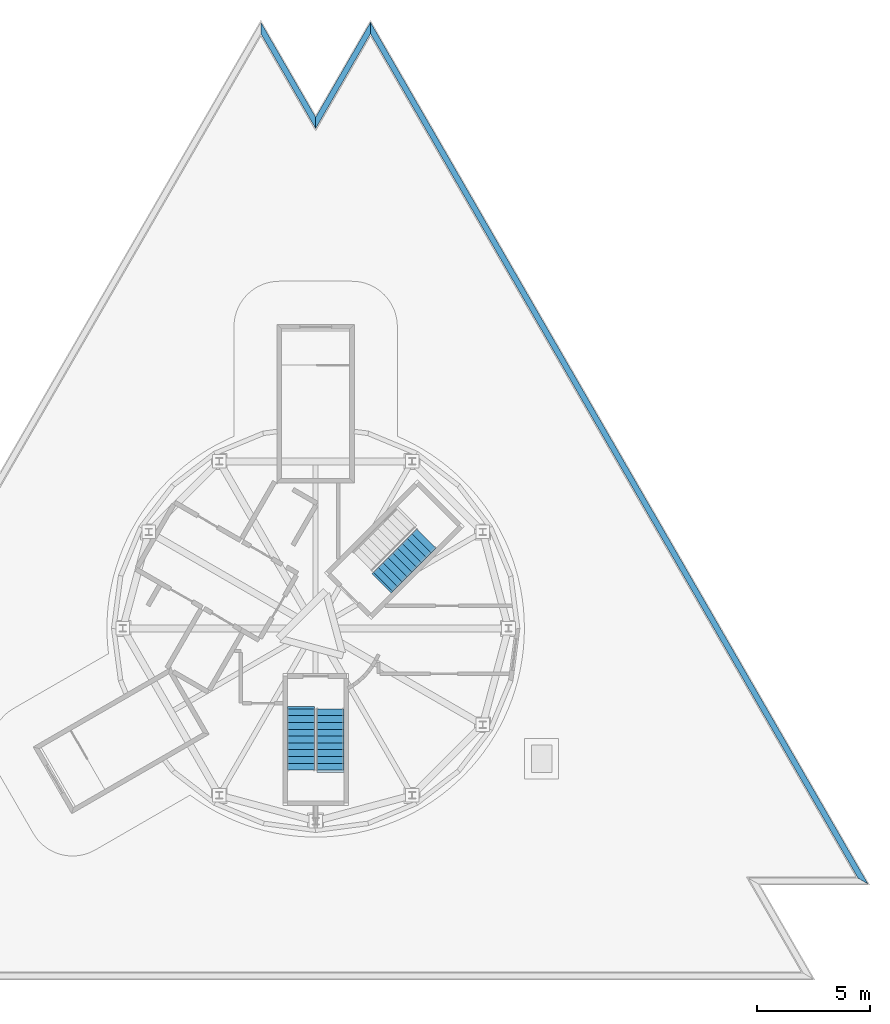
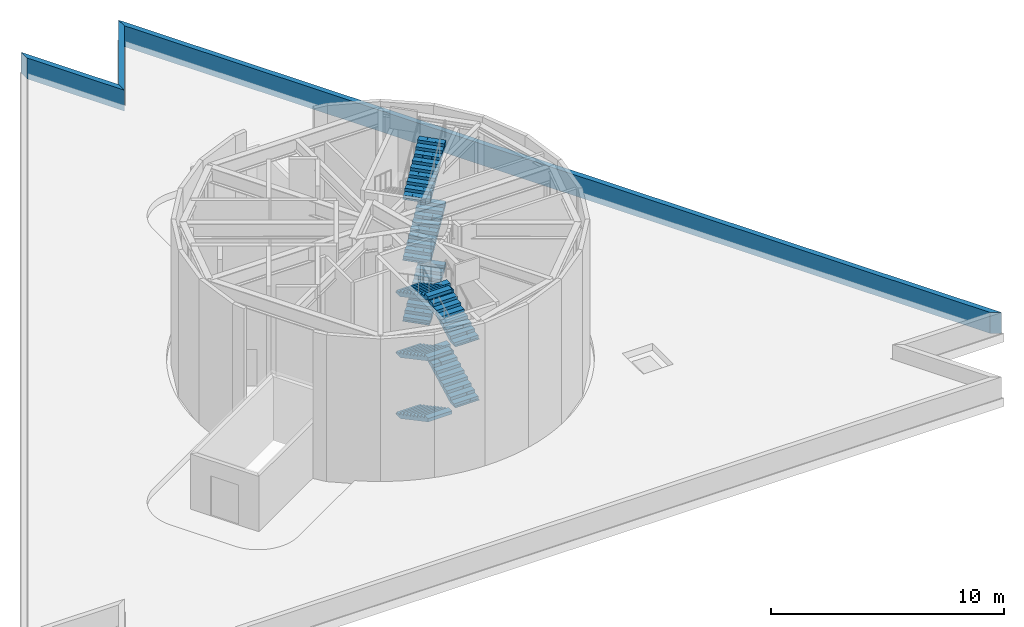
# One storey, part 4 of 7: 8 stair flights, 3 walls, 2 elements without a shape of their own.
"""IFC4 building model written with IfcOpenShell, lengths in metres."""

from ifc_helpers import new_model, si_unit, direction, frame, origin, place, context, subcontext, project, spatial, polyline, outline, extrude, material, layer, layer_set, layer_usage, type_object, element, aggregate, save


model = new_model("IFC4")

# Units and contexts
model_context = context("Model", 3, precision=1e-05, world=origin(), true_north=direction((0.0, 1.0)))
body_context = subcontext(model_context, "Body", "Model", "MODEL_VIEW")
ifc_project = project(units=[si_unit("LENGTHUNIT", "METRE"), si_unit("AREAUNIT", "SQUARE_METRE"), si_unit("VOLUMEUNIT", "CUBIC_METRE"), si_unit("PLANEANGLEUNIT", "RADIAN"), si_unit("MASSUNIT", "GRAM", prefix="KILO")], contexts=[model_context])

# Site, building, storey
site_placement = place(None, origin())
site = spatial("IfcSite", under=ifc_project, at=site_placement, CompositionType="ELEMENT")
building_placement = place(site_placement, origin())
building = spatial("IfcBuilding", under=site, at=building_placement, Name="Triada Interchange Tower", CompositionType="ELEMENT")
storey_placement = place(building_placement, frame((0.0, 0.0, 327.800048828125)))
storey = spatial("IfcBuildingStorey", under=building, at=storey_placement, Name="Roof", CompositionType="ELEMENT", Elevation=327.800048828125)

# Walls
ifc_material_1 = material(Name="Mineral wool")
ifc_layer_1 = layer(ifc_material_1, 0.050048828125, Name="Mineral wool insulation")
ifc_material_2 = material(Name="Concrete C40/50", Category="concrete")
ifc_layer_2 = layer(ifc_material_2, 0.199951171875, Name="Reinforced concrete parapet")
ifc_layer_set = layer_set([ifc_layer_1, ifc_layer_2], Name="Roof parapet 250")
ifc_layer_usage = layer_usage(ifc_layer_set, "AXIS2", "POSITIVE", -0.125)
wall_type = type_object("IfcWallType", Name="Roof parapet 250", PredefinedType="PARAPET", material=ifc_layer_set)
wall_1_placement = place(storey_placement, frame((24.1279296875, -11.139892578125, 0.0), z_axis=(0.0, 0.0, 1.0), x_axis=(-0.500011545715, 0.86601873776, 0.0)))
element("IfcWall", 1, at=wall_1_placement, inside=storey, type_object=wall_type, material=ifc_layer_usage, Name="Roof parapet 07", PredefinedType="PARAPET", context=body_context, shape_type="SweptSolid", body=[
    extrude(outline(polyline([(-0.21630859375, -0.12451171875), (1.777099609375, -0.12451171875), (3.7705078125, -0.12451171875), (5.763916015625, -0.12451171875), (7.757568359375, -0.12451171875), (9.7509765625, -0.12451171875), (11.744384765625, -0.124755859375), (13.73779296875, -0.124755859375), (15.731201171875, -0.124755859375), (17.724609375, -0.124755859375), (19.718017578125, -0.124755859375), (21.71142578125, -0.124755859375), (23.705078125, -0.124755859375), (25.698486328125, -0.124755859375), (27.69189453125, -0.124755859375), (29.685302734375, -0.124755859375), (31.6787109375, -0.124755859375), (33.672119140625, -0.125), (35.66552734375, -0.125), (37.6591796875, -0.125), (39.652587890625, -0.125), (41.64599609375, -0.125), (43.639404296875, -0.125), (43.206298828125, 0.125), (41.252197265625, 0.125), (39.298095703125, 0.125), (37.343994140625, 0.125), (35.39013671875, 0.125), (33.43603515625, 0.125), (31.48193359375, 0.125244140625), (29.52783203125, 0.125244140625), (27.57373046875, 0.125244140625), (25.61962890625, 0.125244140625), (23.66552734375, 0.125244140625), (21.71142578125, 0.125244140625), (19.757568359375, 0.125244140625), (17.803466796875, 0.125244140625), (15.849365234375, 0.125244140625), (13.895263671875, 0.125244140625), (11.941162109375, 0.125244140625), (9.987060546875, 0.12548828125), (8.032958984375, 0.12548828125), (6.0791015625, 0.12548828125), (4.125, 0.12548828125), (2.1708984375, 0.12548828125), (0.216796875, 0.12548828125), (-0.21630859375, -0.12451171875)])), origin(), (0.0, 0.0, 1.0), 1.099853515625),
])
wall_2_placement = place(storey_placement, frame((2.416015625, 26.465087890625, 0.0), z_axis=(0.0, 0.0, 1.0), x_axis=(-0.499964445527, -0.866045930196, 0.0)))
element("IfcWall", 2, at=wall_2_placement, inside=storey, type_object=wall_type, material=ifc_layer_usage, Name="Roof parapet 08", PredefinedType="PARAPET", context=body_context, shape_type="SweptSolid", body=[
    extrude(outline(polyline([(-0.216552734375, -0.125), (1.394287109375, -0.125), (3.0048828125, -0.125), (4.61572265625, -0.125), (5.048828125, 0.125), (3.43798828125, 0.125), (1.827392578125, 0.125), (0.216552734375, 0.125), (-0.216552734375, -0.125)])), origin(), (0.0, 0.0, 1.0), 1.099853515625),
])
wall_3_placement = place(storey_placement, frame((0.0, 22.280029296875, 0.0), z_axis=(0.0, 0.0, 1.0), x_axis=(-0.499964445527, 0.866045930196, 0.0)))
element("IfcWall", 3, at=wall_3_placement, inside=storey, type_object=wall_type, material=ifc_layer_usage, Name="Roof parapet 09", PredefinedType="PARAPET", context=body_context, shape_type="SweptSolid", body=[
    extrude(outline(polyline([(0.216552734375, -0.125), (1.827392578125, -0.125), (3.43798828125, -0.125), (5.048828125, -0.125), (4.61572265625, 0.125), (3.0048828125, 0.125), (1.394287109375, 0.125), (-0.216552734375, 0.125), (0.216552734375, -0.125)])), origin(), (0.0, 0.0, 1.0), 1.099853515625),
])

# Stair, stair flights
ifc_material_3 = material(Name="Concrete C35/45", Category="concrete")
stair_type = type_object("IfcStairType", Name="HALF TURN STAIR 1200", PredefinedType="HALF_TURN_STAIR", material=ifc_material_3)
stair_1_placement = place(storey_placement, origin())
stair_1 = element("IfcStair", 4, at=stair_1_placement, inside=storey, type_object=stair_type, Name="Roof access stair RS1", PredefinedType="HALF_TURN_STAIR")
stair_flight_type = type_object("IfcStairFlightType", Name="STRAIGHT STAIR FLIGHT 1200", PredefinedType="STRAIGHT", material=ifc_material_3)
stair_flight_1_placement = place(storey_placement, frame((2.969970703125, 2.051025390625, 0.0), z_axis=(0.0, 0.0, 1.0), x_axis=(0.707106781187, 0.707106781187, 0.0)))
stair_flight_1 = element("IfcStairFlight", 5, at=stair_flight_1_placement, type_object=stair_flight_type, Name="Roof access stair RS1 flight 1", NumberOfRisers=10, NumberOfTreads=9, PredefinedType="STRAIGHT", RiserHeight=0.16, TreadLength=0.3, context=body_context, shape_type="SweptSolid", body=[
    extrude(outline(polyline([(-0.10009765625, 0.0), (-0.10009765625, 0.02001953125), (0.0, 0.02001953125), (0.0, 0.159912109375), (0.300048828125, 0.159912109375), (0.300048828125, 0.320068359375), (0.60009765625, 0.320068359375), (0.60009765625, 0.47998046875), (0.89990234375, 0.47998046875), (0.89990234375, 0.639892578125), (1.199951171875, 0.639892578125), (1.199951171875, 0.800048828125), (1.5, 0.800048828125), (1.5, 0.9599609375), (1.800048828125, 0.9599609375), (1.800048828125, 1.1201171875), (2.10009765625, 1.1201171875), (2.10009765625, 1.280029296875), (2.39990234375, 1.280029296875), (2.39990234375, 1.43994140625), (2.699951171875, 1.43994140625), (2.7041015625, 1.43994140625), (2.7041015625, 1.60009765625), (2.7041015625, 1.27001953125), (0.318603515625, 0.0), (-0.10009765625, 0.0)])), frame((0.0, 0.60009765625, 0.0), z_axis=(0.0, -1.0, 0.0), x_axis=(1.0, 0.0, 0.0)), (0.0, 0.0, 1.0), 0.398681640625),
    extrude(outline(polyline([(-0.10009765625, 0.0), (-0.10009765625, 0.02001953125), (0.0, 0.02001953125), (0.0, 0.159912109375), (0.300048828125, 0.159912109375), (0.300048828125, 0.320068359375), (0.60009765625, 0.320068359375), (0.60009765625, 0.47998046875), (0.89990234375, 0.47998046875), (0.89990234375, 0.639892578125), (1.199951171875, 0.639892578125), (1.199951171875, 0.800048828125), (1.5, 0.800048828125), (1.5, 0.9599609375), (1.800048828125, 0.9599609375), (1.800048828125, 1.1201171875), (2.10009765625, 1.1201171875), (2.10009765625, 1.280029296875), (2.39990234375, 1.280029296875), (2.39990234375, 1.43994140625), (2.699951171875, 1.43994140625), (2.7041015625, 1.43994140625), (2.7041015625, 1.60009765625), (2.7041015625, 1.27001953125), (0.318603515625, 0.0), (-0.10009765625, 0.0)])), frame((0.0, 0.19921875, 0.0), z_axis=(0.0, -1.0, 0.0), x_axis=(1.0, 0.0, 0.0)), (0.0, 0.0, 1.0), 0.398681640625),
    extrude(outline(polyline([(-0.10009765625, 0.0), (-0.10009765625, 0.02001953125), (0.0, 0.02001953125), (0.0, 0.159912109375), (0.300048828125, 0.159912109375), (0.300048828125, 0.320068359375), (0.60009765625, 0.320068359375), (0.60009765625, 0.47998046875), (0.89990234375, 0.47998046875), (0.89990234375, 0.639892578125), (1.199951171875, 0.639892578125), (1.199951171875, 0.800048828125), (1.5, 0.800048828125), (1.5, 0.9599609375), (1.800048828125, 0.9599609375), (1.800048828125, 1.1201171875), (2.10009765625, 1.1201171875), (2.10009765625, 1.280029296875), (2.39990234375, 1.280029296875), (2.39990234375, 1.43994140625), (2.699951171875, 1.43994140625), (2.7041015625, 1.43994140625), (2.7041015625, 1.60009765625), (2.7041015625, 1.27001953125), (0.318603515625, 0.0), (-0.10009765625, 0.0)])), frame((0.0, -0.201416015625, 0.0), z_axis=(0.0, -1.0, 0.0), x_axis=(1.0, 0.0, 0.0)), (0.0, 0.0, 1.0), 0.398681640625),
])
stair_flight_2_placement = place(storey_placement, frame((2.969970703125, 2.051025390625, 3.199951171875), z_axis=(0.0, 0.0, 1.0), x_axis=(0.707106781187, 0.707106781187, 0.0)))
stair_flight_2 = element("IfcStairFlight", 6, at=stair_flight_2_placement, type_object=stair_flight_type, Name="Roof access stair RS1 flight 3", NumberOfRisers=10, NumberOfTreads=9, PredefinedType="STRAIGHT", RiserHeight=0.16, TreadLength=0.3, context=body_context, shape_type="SweptSolid", body=[
    extrude(outline(polyline([(-0.10009765625, 0.0), (-0.10009765625, 0.02001953125), (0.0, 0.02001953125), (0.0, 0.159912109375), (0.300048828125, 0.159912109375), (0.300048828125, 0.320068359375), (0.60009765625, 0.320068359375), (0.60009765625, 0.47998046875), (0.89990234375, 0.47998046875), (0.89990234375, 0.639892578125), (1.199951171875, 0.639892578125), (1.199951171875, 0.800048828125), (1.5, 0.800048828125), (1.5, 0.9599609375), (1.800048828125, 0.9599609375), (1.800048828125, 1.1201171875), (2.10009765625, 1.1201171875), (2.10009765625, 1.280029296875), (2.39990234375, 1.280029296875), (2.39990234375, 1.43994140625), (2.699951171875, 1.43994140625), (2.7041015625, 1.43994140625), (2.7041015625, 1.60009765625), (2.7041015625, 1.27001953125), (0.318603515625, 0.0), (-0.10009765625, 0.0)])), frame((0.0, 0.60009765625, 0.0), z_axis=(0.0, -1.0, 0.0), x_axis=(1.0, 0.0, 0.0)), (0.0, 0.0, 1.0), 0.398681640625),
    extrude(outline(polyline([(-0.10009765625, 0.0), (-0.10009765625, 0.02001953125), (0.0, 0.02001953125), (0.0, 0.159912109375), (0.300048828125, 0.159912109375), (0.300048828125, 0.320068359375), (0.60009765625, 0.320068359375), (0.60009765625, 0.47998046875), (0.89990234375, 0.47998046875), (0.89990234375, 0.639892578125), (1.199951171875, 0.639892578125), (1.199951171875, 0.800048828125), (1.5, 0.800048828125), (1.5, 0.9599609375), (1.800048828125, 0.9599609375), (1.800048828125, 1.1201171875), (2.10009765625, 1.1201171875), (2.10009765625, 1.280029296875), (2.39990234375, 1.280029296875), (2.39990234375, 1.43994140625), (2.699951171875, 1.43994140625), (2.7041015625, 1.43994140625), (2.7041015625, 1.60009765625), (2.7041015625, 1.27001953125), (0.318603515625, 0.0), (-0.10009765625, 0.0)])), frame((0.0, 0.19921875, 0.0), z_axis=(0.0, -1.0, 0.0), x_axis=(1.0, 0.0, 0.0)), (0.0, 0.0, 1.0), 0.398681640625),
    extrude(outline(polyline([(-0.10009765625, 0.0), (-0.10009765625, 0.02001953125), (0.0, 0.02001953125), (0.0, 0.159912109375), (0.300048828125, 0.159912109375), (0.300048828125, 0.320068359375), (0.60009765625, 0.320068359375), (0.60009765625, 0.47998046875), (0.89990234375, 0.47998046875), (0.89990234375, 0.639892578125), (1.199951171875, 0.639892578125), (1.199951171875, 0.800048828125), (1.5, 0.800048828125), (1.5, 0.9599609375), (1.800048828125, 0.9599609375), (1.800048828125, 1.1201171875), (2.10009765625, 1.1201171875), (2.10009765625, 1.280029296875), (2.39990234375, 1.280029296875), (2.39990234375, 1.43994140625), (2.699951171875, 1.43994140625), (2.7041015625, 1.43994140625), (2.7041015625, 1.60009765625), (2.7041015625, 1.27001953125), (0.318603515625, 0.0), (-0.10009765625, 0.0)])), frame((0.0, -0.201416015625, 0.0), z_axis=(0.0, -1.0, 0.0), x_axis=(1.0, 0.0, 0.0)), (0.0, 0.0, 1.0), 0.398681640625),
])
stair_flight_3_placement = place(storey_placement, frame((2.969970703125, 2.051025390625, 6.39990234375), z_axis=(0.0, 0.0, 1.0), x_axis=(0.707106781187, 0.707106781187, 0.0)))
stair_flight_3 = element("IfcStairFlight", 7, at=stair_flight_3_placement, type_object=stair_flight_type, Name="Roof access stair RS1 flight 5", NumberOfRisers=10, NumberOfTreads=9, PredefinedType="STRAIGHT", RiserHeight=0.16, TreadLength=0.3, context=body_context, shape_type="SweptSolid", body=[
    extrude(outline(polyline([(-0.10009765625, 0.0), (-0.10009765625, 0.02001953125), (0.0, 0.02001953125), (0.0, 0.159912109375), (0.300048828125, 0.159912109375), (0.300048828125, 0.320068359375), (0.60009765625, 0.320068359375), (0.60009765625, 0.47998046875), (0.89990234375, 0.47998046875), (0.89990234375, 0.639892578125), (1.199951171875, 0.639892578125), (1.199951171875, 0.800048828125), (1.5, 0.800048828125), (1.5, 0.9599609375), (1.800048828125, 0.9599609375), (1.800048828125, 1.1201171875), (2.10009765625, 1.1201171875), (2.10009765625, 1.280029296875), (2.39990234375, 1.280029296875), (2.39990234375, 1.43994140625), (2.699951171875, 1.43994140625), (2.7041015625, 1.43994140625), (2.7041015625, 1.60009765625), (2.7041015625, 1.27001953125), (0.318603515625, 0.0), (-0.10009765625, 0.0)])), frame((0.0, 0.60009765625, 0.0), z_axis=(0.0, -1.0, 0.0), x_axis=(1.0, 0.0, 0.0)), (0.0, 0.0, 1.0), 0.398681640625),
    extrude(outline(polyline([(-0.10009765625, 0.0), (-0.10009765625, 0.02001953125), (0.0, 0.02001953125), (0.0, 0.159912109375), (0.300048828125, 0.159912109375), (0.300048828125, 0.320068359375), (0.60009765625, 0.320068359375), (0.60009765625, 0.47998046875), (0.89990234375, 0.47998046875), (0.89990234375, 0.639892578125), (1.199951171875, 0.639892578125), (1.199951171875, 0.800048828125), (1.5, 0.800048828125), (1.5, 0.9599609375), (1.800048828125, 0.9599609375), (1.800048828125, 1.1201171875), (2.10009765625, 1.1201171875), (2.10009765625, 1.280029296875), (2.39990234375, 1.280029296875), (2.39990234375, 1.43994140625), (2.699951171875, 1.43994140625), (2.7041015625, 1.43994140625), (2.7041015625, 1.60009765625), (2.7041015625, 1.27001953125), (0.318603515625, 0.0), (-0.10009765625, 0.0)])), frame((0.0, 0.19921875, 0.0), z_axis=(0.0, -1.0, 0.0), x_axis=(1.0, 0.0, 0.0)), (0.0, 0.0, 1.0), 0.398681640625),
    extrude(outline(polyline([(-0.10009765625, 0.0), (-0.10009765625, 0.02001953125), (0.0, 0.02001953125), (0.0, 0.159912109375), (0.300048828125, 0.159912109375), (0.300048828125, 0.320068359375), (0.60009765625, 0.320068359375), (0.60009765625, 0.47998046875), (0.89990234375, 0.47998046875), (0.89990234375, 0.639892578125), (1.199951171875, 0.639892578125), (1.199951171875, 0.800048828125), (1.5, 0.800048828125), (1.5, 0.9599609375), (1.800048828125, 0.9599609375), (1.800048828125, 1.1201171875), (2.10009765625, 1.1201171875), (2.10009765625, 1.280029296875), (2.39990234375, 1.280029296875), (2.39990234375, 1.43994140625), (2.699951171875, 1.43994140625), (2.7041015625, 1.43994140625), (2.7041015625, 1.60009765625), (2.7041015625, 1.27001953125), (0.318603515625, 0.0), (-0.10009765625, 0.0)])), frame((0.0, -0.201416015625, 0.0), z_axis=(0.0, -1.0, 0.0), x_axis=(1.0, 0.0, 0.0)), (0.0, 0.0, 1.0), 0.398681640625),
])
aggregate(stair_1, [stair_flight_1, stair_flight_2, stair_flight_3])

stair_2_placement = place(storey_placement, origin())
stair_2 = element("IfcStair", 8, at=stair_2_placement, inside=storey, type_object=stair_type, Name="Roof access stair RS2", PredefinedType="HALF_TURN_STAIR")
stair_flight_4_placement = place(storey_placement, frame((-0.64990234375, -3.550048828125, 0.0), z_axis=(0.0, 0.0, 1.0), x_axis=(0.0, -1.0, 0.0)))
stair_flight_4 = element("IfcStairFlight", 9, at=stair_flight_4_placement, type_object=stair_flight_type, Name="Roof access stair RS2 flight 1", NumberOfRisers=10, NumberOfTreads=9, PredefinedType="STRAIGHT", RiserHeight=0.16, TreadLength=0.3, context=body_context, shape_type="SweptSolid", body=[
    extrude(outline(polyline([(-0.10009765625, 0.0), (-0.10009765625, 0.02001953125), (0.0, 0.02001953125), (0.0, 0.159912109375), (0.300048828125, 0.159912109375), (0.300048828125, 0.320068359375), (0.60009765625, 0.320068359375), (0.60009765625, 0.47998046875), (0.89990234375, 0.47998046875), (0.89990234375, 0.639892578125), (1.199951171875, 0.639892578125), (1.199951171875, 0.800048828125), (1.5, 0.800048828125), (1.5, 0.9599609375), (1.800048828125, 0.9599609375), (1.800048828125, 1.1201171875), (2.10009765625, 1.1201171875), (2.10009765625, 1.280029296875), (2.39990234375, 1.280029296875), (2.39990234375, 1.43994140625), (2.699951171875, 1.43994140625), (2.7041015625, 1.43994140625), (2.7041015625, 1.60009765625), (2.7041015625, 1.27001953125), (0.318603515625, 0.0), (-0.10009765625, 0.0)])), frame((0.0, 0.60009765625, 0.0), z_axis=(0.0, -1.0, 0.0), x_axis=(1.0, 0.0, 0.0)), (0.0, 0.0, 1.0), 0.398681640625),
    extrude(outline(polyline([(-0.10009765625, 0.0), (-0.10009765625, 0.02001953125), (0.0, 0.02001953125), (0.0, 0.159912109375), (0.300048828125, 0.159912109375), (0.300048828125, 0.320068359375), (0.60009765625, 0.320068359375), (0.60009765625, 0.47998046875), (0.89990234375, 0.47998046875), (0.89990234375, 0.639892578125), (1.199951171875, 0.639892578125), (1.199951171875, 0.800048828125), (1.5, 0.800048828125), (1.5, 0.9599609375), (1.800048828125, 0.9599609375), (1.800048828125, 1.1201171875), (2.10009765625, 1.1201171875), (2.10009765625, 1.280029296875), (2.39990234375, 1.280029296875), (2.39990234375, 1.43994140625), (2.699951171875, 1.43994140625), (2.7041015625, 1.43994140625), (2.7041015625, 1.60009765625), (2.7041015625, 1.27001953125), (0.318603515625, 0.0), (-0.10009765625, 0.0)])), frame((0.0, 0.19921875, 0.0), z_axis=(0.0, -1.0, 0.0), x_axis=(1.0, 0.0, 0.0)), (0.0, 0.0, 1.0), 0.398681640625),
    extrude(outline(polyline([(-0.10009765625, 0.0), (-0.10009765625, 0.02001953125), (0.0, 0.02001953125), (0.0, 0.159912109375), (0.300048828125, 0.159912109375), (0.300048828125, 0.320068359375), (0.60009765625, 0.320068359375), (0.60009765625, 0.47998046875), (0.89990234375, 0.47998046875), (0.89990234375, 0.639892578125), (1.199951171875, 0.639892578125), (1.199951171875, 0.800048828125), (1.5, 0.800048828125), (1.5, 0.9599609375), (1.800048828125, 0.9599609375), (1.800048828125, 1.1201171875), (2.10009765625, 1.1201171875), (2.10009765625, 1.280029296875), (2.39990234375, 1.280029296875), (2.39990234375, 1.43994140625), (2.699951171875, 1.43994140625), (2.7041015625, 1.43994140625), (2.7041015625, 1.60009765625), (2.7041015625, 1.27001953125), (0.318603515625, 0.0), (-0.10009765625, 0.0)])), frame((0.0, -0.201416015625, 0.0), z_axis=(0.0, -1.0, 0.0), x_axis=(1.0, 0.0, 0.0)), (0.0, 0.0, 1.0), 0.398681640625),
])
stair_flight_5_placement = place(storey_placement, frame((0.64990234375, -6.25, 1.599853515625), z_axis=(0.0, 0.0, 1.0), x_axis=(0.0, 1.0, 0.0)))
stair_flight_5 = element("IfcStairFlight", 10, at=stair_flight_5_placement, type_object=stair_flight_type, Name="Roof access stair RS2 flight 2", NumberOfRisers=10, NumberOfTreads=9, PredefinedType="STRAIGHT", RiserHeight=0.16, TreadLength=0.3, context=body_context, shape_type="SweptSolid", body=[
    extrude(outline(polyline([(-0.10009765625, 0.0), (-0.10009765625, 0.02001953125), (0.0, 0.02001953125), (0.0, 0.159912109375), (0.300048828125, 0.159912109375), (0.300048828125, 0.320068359375), (0.60009765625, 0.320068359375), (0.60009765625, 0.47998046875), (0.89990234375, 0.47998046875), (0.89990234375, 0.639892578125), (1.199951171875, 0.639892578125), (1.199951171875, 0.800048828125), (1.5, 0.800048828125), (1.5, 0.9599609375), (1.800048828125, 0.9599609375), (1.800048828125, 1.1201171875), (2.10009765625, 1.1201171875), (2.10009765625, 1.280029296875), (2.39990234375, 1.280029296875), (2.39990234375, 1.43994140625), (2.699951171875, 1.43994140625), (2.7041015625, 1.43994140625), (2.7041015625, 1.60009765625), (2.7041015625, 1.27001953125), (0.318603515625, 0.0), (-0.10009765625, 0.0)])), frame((0.0, 0.60009765625, 0.0), z_axis=(0.0, -1.0, 0.0), x_axis=(1.0, 0.0, 0.0)), (0.0, 0.0, 1.0), 0.398681640625),
    extrude(outline(polyline([(-0.10009765625, 0.0), (-0.10009765625, 0.02001953125), (0.0, 0.02001953125), (0.0, 0.159912109375), (0.300048828125, 0.159912109375), (0.300048828125, 0.320068359375), (0.60009765625, 0.320068359375), (0.60009765625, 0.47998046875), (0.89990234375, 0.47998046875), (0.89990234375, 0.639892578125), (1.199951171875, 0.639892578125), (1.199951171875, 0.800048828125), (1.5, 0.800048828125), (1.5, 0.9599609375), (1.800048828125, 0.9599609375), (1.800048828125, 1.1201171875), (2.10009765625, 1.1201171875), (2.10009765625, 1.280029296875), (2.39990234375, 1.280029296875), (2.39990234375, 1.43994140625), (2.699951171875, 1.43994140625), (2.7041015625, 1.43994140625), (2.7041015625, 1.60009765625), (2.7041015625, 1.27001953125), (0.318603515625, 0.0), (-0.10009765625, 0.0)])), frame((0.0, 0.19921875, 0.0), z_axis=(0.0, -1.0, 0.0), x_axis=(1.0, 0.0, 0.0)), (0.0, 0.0, 1.0), 0.398681640625),
    extrude(outline(polyline([(-0.10009765625, 0.0), (-0.10009765625, 0.02001953125), (0.0, 0.02001953125), (0.0, 0.159912109375), (0.300048828125, 0.159912109375), (0.300048828125, 0.320068359375), (0.60009765625, 0.320068359375), (0.60009765625, 0.47998046875), (0.89990234375, 0.47998046875), (0.89990234375, 0.639892578125), (1.199951171875, 0.639892578125), (1.199951171875, 0.800048828125), (1.5, 0.800048828125), (1.5, 0.9599609375), (1.800048828125, 0.9599609375), (1.800048828125, 1.1201171875), (2.10009765625, 1.1201171875), (2.10009765625, 1.280029296875), (2.39990234375, 1.280029296875), (2.39990234375, 1.43994140625), (2.699951171875, 1.43994140625), (2.7041015625, 1.43994140625), (2.7041015625, 1.60009765625), (2.7041015625, 1.27001953125), (0.318603515625, 0.0), (-0.10009765625, 0.0)])), frame((0.0, -0.201416015625, 0.0), z_axis=(0.0, -1.0, 0.0), x_axis=(1.0, 0.0, 0.0)), (0.0, 0.0, 1.0), 0.398681640625),
])
stair_flight_6_placement = place(storey_placement, frame((-0.64990234375, -3.550048828125, 3.199951171875), z_axis=(0.0, 0.0, 1.0), x_axis=(0.0, -1.0, 0.0)))
stair_flight_6 = element("IfcStairFlight", 11, at=stair_flight_6_placement, type_object=stair_flight_type, Name="Roof access stair RS2 flight 3", NumberOfRisers=10, NumberOfTreads=9, PredefinedType="STRAIGHT", RiserHeight=0.16, TreadLength=0.3, context=body_context, shape_type="SweptSolid", body=[
    extrude(outline(polyline([(-0.10009765625, 0.0), (-0.10009765625, 0.02001953125), (0.0, 0.02001953125), (0.0, 0.159912109375), (0.300048828125, 0.159912109375), (0.300048828125, 0.320068359375), (0.60009765625, 0.320068359375), (0.60009765625, 0.47998046875), (0.89990234375, 0.47998046875), (0.89990234375, 0.639892578125), (1.199951171875, 0.639892578125), (1.199951171875, 0.800048828125), (1.5, 0.800048828125), (1.5, 0.9599609375), (1.800048828125, 0.9599609375), (1.800048828125, 1.1201171875), (2.10009765625, 1.1201171875), (2.10009765625, 1.280029296875), (2.39990234375, 1.280029296875), (2.39990234375, 1.43994140625), (2.699951171875, 1.43994140625), (2.7041015625, 1.43994140625), (2.7041015625, 1.60009765625), (2.7041015625, 1.27001953125), (0.318603515625, 0.0), (-0.10009765625, 0.0)])), frame((0.0, 0.60009765625, 0.0), z_axis=(0.0, -1.0, 0.0), x_axis=(1.0, 0.0, 0.0)), (0.0, 0.0, 1.0), 0.398681640625),
    extrude(outline(polyline([(-0.10009765625, 0.0), (-0.10009765625, 0.02001953125), (0.0, 0.02001953125), (0.0, 0.159912109375), (0.300048828125, 0.159912109375), (0.300048828125, 0.320068359375), (0.60009765625, 0.320068359375), (0.60009765625, 0.47998046875), (0.89990234375, 0.47998046875), (0.89990234375, 0.639892578125), (1.199951171875, 0.639892578125), (1.199951171875, 0.800048828125), (1.5, 0.800048828125), (1.5, 0.9599609375), (1.800048828125, 0.9599609375), (1.800048828125, 1.1201171875), (2.10009765625, 1.1201171875), (2.10009765625, 1.280029296875), (2.39990234375, 1.280029296875), (2.39990234375, 1.43994140625), (2.699951171875, 1.43994140625), (2.7041015625, 1.43994140625), (2.7041015625, 1.60009765625), (2.7041015625, 1.27001953125), (0.318603515625, 0.0), (-0.10009765625, 0.0)])), frame((0.0, 0.19921875, 0.0), z_axis=(0.0, -1.0, 0.0), x_axis=(1.0, 0.0, 0.0)), (0.0, 0.0, 1.0), 0.398681640625),
    extrude(outline(polyline([(-0.10009765625, 0.0), (-0.10009765625, 0.02001953125), (0.0, 0.02001953125), (0.0, 0.159912109375), (0.300048828125, 0.159912109375), (0.300048828125, 0.320068359375), (0.60009765625, 0.320068359375), (0.60009765625, 0.47998046875), (0.89990234375, 0.47998046875), (0.89990234375, 0.639892578125), (1.199951171875, 0.639892578125), (1.199951171875, 0.800048828125), (1.5, 0.800048828125), (1.5, 0.9599609375), (1.800048828125, 0.9599609375), (1.800048828125, 1.1201171875), (2.10009765625, 1.1201171875), (2.10009765625, 1.280029296875), (2.39990234375, 1.280029296875), (2.39990234375, 1.43994140625), (2.699951171875, 1.43994140625), (2.7041015625, 1.43994140625), (2.7041015625, 1.60009765625), (2.7041015625, 1.27001953125), (0.318603515625, 0.0), (-0.10009765625, 0.0)])), frame((0.0, -0.201416015625, 0.0), z_axis=(0.0, -1.0, 0.0), x_axis=(1.0, 0.0, 0.0)), (0.0, 0.0, 1.0), 0.398681640625),
])
stair_flight_7_placement = place(storey_placement, frame((0.64990234375, -6.25, 4.800048828125), z_axis=(0.0, 0.0, 1.0), x_axis=(0.0, 1.0, 0.0)))
stair_flight_7 = element("IfcStairFlight", 12, at=stair_flight_7_placement, type_object=stair_flight_type, Name="Roof access stair RS2 flight 4", NumberOfRisers=10, NumberOfTreads=9, PredefinedType="STRAIGHT", RiserHeight=0.16, TreadLength=0.3, context=body_context, shape_type="SweptSolid", body=[
    extrude(outline(polyline([(-0.10009765625, 0.0), (-0.10009765625, 0.02001953125), (0.0, 0.02001953125), (0.0, 0.159912109375), (0.300048828125, 0.159912109375), (0.300048828125, 0.320068359375), (0.60009765625, 0.320068359375), (0.60009765625, 0.47998046875), (0.89990234375, 0.47998046875), (0.89990234375, 0.639892578125), (1.199951171875, 0.639892578125), (1.199951171875, 0.800048828125), (1.5, 0.800048828125), (1.5, 0.9599609375), (1.800048828125, 0.9599609375), (1.800048828125, 1.1201171875), (2.10009765625, 1.1201171875), (2.10009765625, 1.280029296875), (2.39990234375, 1.280029296875), (2.39990234375, 1.43994140625), (2.699951171875, 1.43994140625), (2.7041015625, 1.43994140625), (2.7041015625, 1.60009765625), (2.7041015625, 1.27001953125), (0.318603515625, 0.0), (-0.10009765625, 0.0)])), frame((0.0, 0.60009765625, 0.0), z_axis=(0.0, -1.0, 0.0), x_axis=(1.0, 0.0, 0.0)), (0.0, 0.0, 1.0), 0.398681640625),
    extrude(outline(polyline([(-0.10009765625, 0.0), (-0.10009765625, 0.02001953125), (0.0, 0.02001953125), (0.0, 0.159912109375), (0.300048828125, 0.159912109375), (0.300048828125, 0.320068359375), (0.60009765625, 0.320068359375), (0.60009765625, 0.47998046875), (0.89990234375, 0.47998046875), (0.89990234375, 0.639892578125), (1.199951171875, 0.639892578125), (1.199951171875, 0.800048828125), (1.5, 0.800048828125), (1.5, 0.9599609375), (1.800048828125, 0.9599609375), (1.800048828125, 1.1201171875), (2.10009765625, 1.1201171875), (2.10009765625, 1.280029296875), (2.39990234375, 1.280029296875), (2.39990234375, 1.43994140625), (2.699951171875, 1.43994140625), (2.7041015625, 1.43994140625), (2.7041015625, 1.60009765625), (2.7041015625, 1.27001953125), (0.318603515625, 0.0), (-0.10009765625, 0.0)])), frame((0.0, 0.19921875, 0.0), z_axis=(0.0, -1.0, 0.0), x_axis=(1.0, 0.0, 0.0)), (0.0, 0.0, 1.0), 0.398681640625),
    extrude(outline(polyline([(-0.10009765625, 0.0), (-0.10009765625, 0.02001953125), (0.0, 0.02001953125), (0.0, 0.159912109375), (0.300048828125, 0.159912109375), (0.300048828125, 0.320068359375), (0.60009765625, 0.320068359375), (0.60009765625, 0.47998046875), (0.89990234375, 0.47998046875), (0.89990234375, 0.639892578125), (1.199951171875, 0.639892578125), (1.199951171875, 0.800048828125), (1.5, 0.800048828125), (1.5, 0.9599609375), (1.800048828125, 0.9599609375), (1.800048828125, 1.1201171875), (2.10009765625, 1.1201171875), (2.10009765625, 1.280029296875), (2.39990234375, 1.280029296875), (2.39990234375, 1.43994140625), (2.699951171875, 1.43994140625), (2.7041015625, 1.43994140625), (2.7041015625, 1.60009765625), (2.7041015625, 1.27001953125), (0.318603515625, 0.0), (-0.10009765625, 0.0)])), frame((0.0, -0.201416015625, 0.0), z_axis=(0.0, -1.0, 0.0), x_axis=(1.0, 0.0, 0.0)), (0.0, 0.0, 1.0), 0.398681640625),
])
stair_flight_8_placement = place(storey_placement, frame((-0.64990234375, -3.550048828125, 6.39990234375), z_axis=(0.0, 0.0, 1.0), x_axis=(0.0, -1.0, 0.0)))
stair_flight_8 = element("IfcStairFlight", 13, at=stair_flight_8_placement, type_object=stair_flight_type, Name="Roof access stair RS2 flight 5", NumberOfRisers=10, NumberOfTreads=9, PredefinedType="STRAIGHT", RiserHeight=0.16, TreadLength=0.3, context=body_context, shape_type="SweptSolid", body=[
    extrude(outline(polyline([(-0.10009765625, 0.0), (-0.10009765625, 0.02001953125), (0.0, 0.02001953125), (0.0, 0.159912109375), (0.300048828125, 0.159912109375), (0.300048828125, 0.320068359375), (0.60009765625, 0.320068359375), (0.60009765625, 0.47998046875), (0.89990234375, 0.47998046875), (0.89990234375, 0.639892578125), (1.199951171875, 0.639892578125), (1.199951171875, 0.800048828125), (1.5, 0.800048828125), (1.5, 0.9599609375), (1.800048828125, 0.9599609375), (1.800048828125, 1.1201171875), (2.10009765625, 1.1201171875), (2.10009765625, 1.280029296875), (2.39990234375, 1.280029296875), (2.39990234375, 1.43994140625), (2.699951171875, 1.43994140625), (2.7041015625, 1.43994140625), (2.7041015625, 1.60009765625), (2.7041015625, 1.27001953125), (0.318603515625, 0.0), (-0.10009765625, 0.0)])), frame((0.0, 0.60009765625, 0.0), z_axis=(0.0, -1.0, 0.0), x_axis=(1.0, 0.0, 0.0)), (0.0, 0.0, 1.0), 0.398681640625),
    extrude(outline(polyline([(-0.10009765625, 0.0), (-0.10009765625, 0.02001953125), (0.0, 0.02001953125), (0.0, 0.159912109375), (0.300048828125, 0.159912109375), (0.300048828125, 0.320068359375), (0.60009765625, 0.320068359375), (0.60009765625, 0.47998046875), (0.89990234375, 0.47998046875), (0.89990234375, 0.639892578125), (1.199951171875, 0.639892578125), (1.199951171875, 0.800048828125), (1.5, 0.800048828125), (1.5, 0.9599609375), (1.800048828125, 0.9599609375), (1.800048828125, 1.1201171875), (2.10009765625, 1.1201171875), (2.10009765625, 1.280029296875), (2.39990234375, 1.280029296875), (2.39990234375, 1.43994140625), (2.699951171875, 1.43994140625), (2.7041015625, 1.43994140625), (2.7041015625, 1.60009765625), (2.7041015625, 1.27001953125), (0.318603515625, 0.0), (-0.10009765625, 0.0)])), frame((0.0, 0.19921875, 0.0), z_axis=(0.0, -1.0, 0.0), x_axis=(1.0, 0.0, 0.0)), (0.0, 0.0, 1.0), 0.398681640625),
    extrude(outline(polyline([(-0.10009765625, 0.0), (-0.10009765625, 0.02001953125), (0.0, 0.02001953125), (0.0, 0.159912109375), (0.300048828125, 0.159912109375), (0.300048828125, 0.320068359375), (0.60009765625, 0.320068359375), (0.60009765625, 0.47998046875), (0.89990234375, 0.47998046875), (0.89990234375, 0.639892578125), (1.199951171875, 0.639892578125), (1.199951171875, 0.800048828125), (1.5, 0.800048828125), (1.5, 0.9599609375), (1.800048828125, 0.9599609375), (1.800048828125, 1.1201171875), (2.10009765625, 1.1201171875), (2.10009765625, 1.280029296875), (2.39990234375, 1.280029296875), (2.39990234375, 1.43994140625), (2.699951171875, 1.43994140625), (2.7041015625, 1.43994140625), (2.7041015625, 1.60009765625), (2.7041015625, 1.27001953125), (0.318603515625, 0.0), (-0.10009765625, 0.0)])), frame((0.0, -0.201416015625, 0.0), z_axis=(0.0, -1.0, 0.0), x_axis=(1.0, 0.0, 0.0)), (0.0, 0.0, 1.0), 0.398681640625),
])
aggregate(stair_2, [stair_flight_4, stair_flight_5, stair_flight_6, stair_flight_7, stair_flight_8])

save(model, "model.ifc")
